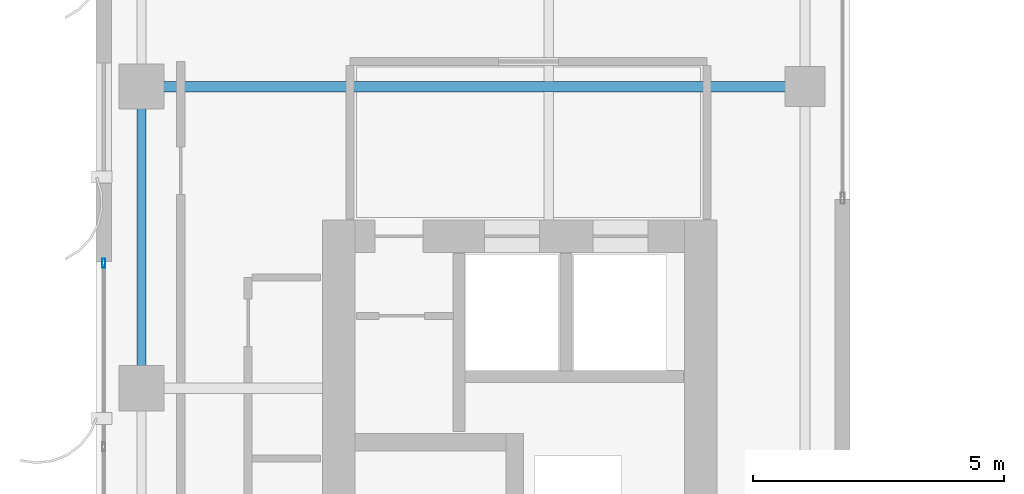
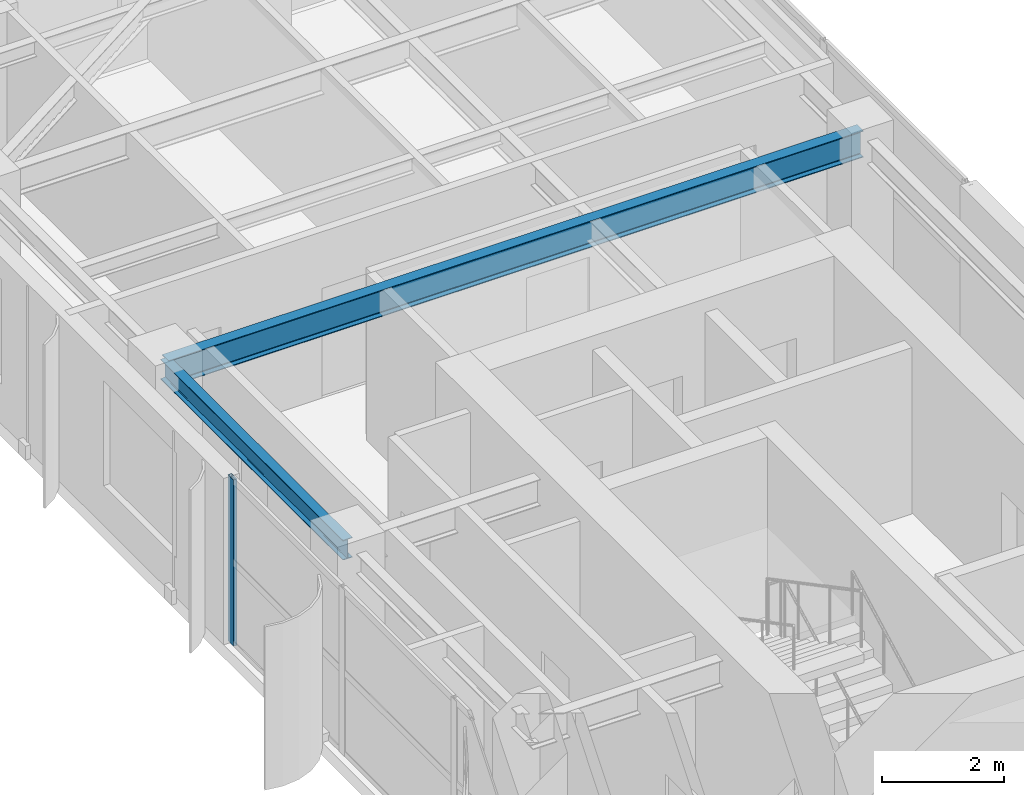
# One storey, part 8 of 22: 2 beams, 1 member, 1 element without a shape of its own.
"""IFC4 building model written with IfcOpenShell, lengths in metres."""

from ifc_helpers import new_model, si_unit, direction, frame, origin, origin_2d, place, context, subcontext, project, spatial, hollow_rectangle, i_section, extrude, source, transform, mapped, material, layer, layer_set, material_profile, profile_set, type_object, element, aggregate, save


model = new_model("IFC4")

# Units and contexts
model_context = context("Model", 3, precision=1e-05, world=origin(), true_north=direction((0.0, 1.0)))
body_context = subcontext(model_context, "Body", "Model", "MODEL_VIEW")
ifc_project = project(units=[si_unit("LENGTHUNIT", "METRE"), si_unit("AREAUNIT", "SQUARE_METRE"), si_unit("VOLUMEUNIT", "CUBIC_METRE"), si_unit("PLANEANGLEUNIT", "RADIAN"), si_unit("MASSUNIT", "GRAM", prefix="KILO")], contexts=[model_context])

# Site, building, storey
site_placement = place(None, origin())
site = spatial("IfcSite", under=ifc_project, at=site_placement, CompositionType="ELEMENT")
building_placement = place(site_placement, origin())
building = spatial("IfcBuilding", under=site, at=building_placement, Name="Khoralis Quay Care Tower", CompositionType="ELEMENT")
storey_placement = place(building_placement, frame((0.0, 0.0, 188.10009765625)))
storey = spatial("IfcBuildingStorey", under=building, at=storey_placement, Name="L49", CompositionType="ELEMENT", Elevation=188.10009765625)

# Beams
ifc_material_1 = material(Name="Steel S355", Category="steel")
ifc_material_profile_1 = material_profile(ifc_material_1, i_section(OverallWidth=0.179931640625, OverallDepth=0.39990234375, WebThickness=0.008544921875, FlangeThickness=0.013427734375, FilletRadius=0.02099609375, at=origin_2d()), Name="Steel S355")
ifc_profile_set_1 = profile_set([ifc_material_profile_1], Name="Steel S355")
beam_type_1 = type_object("IfcBeamType", Name="BM-IPE400", PredefinedType="SPANDREL", material=ifc_profile_set_1)
shared_shape_1 = source(origin(), body_context, "Body", "SweptSolid", [
    extrude(i_section(OverallWidth=0.179931640625, OverallDepth=0.39990234375, WebThickness=0.008544921875, FlangeThickness=0.013427734375, FilletRadius=0.02099609375, at=origin_2d()), origin(), (0.0, 0.0, 1.0), 6.0),
])
beam_1_placement = place(storey_placement, frame((3.89990234375, 24.0, 3.139892578125), z_axis=(0.0, 1.0, 0.0), x_axis=(-1.0, 0.0, 0.0)))
element("IfcBeam", 1, at=beam_1_placement, inside=storey, type_object=beam_type_1, Name="BM-TSP-L49-08", PredefinedType="SPANDREL", context=body_context, shape_type="MappedRepresentation", body=[
    mapped(shared_shape_1, transform((0.0, 0.0, 0.0), scale=1.0)),
])
ifc_material_profile_2 = material_profile(ifc_material_1, i_section(OverallWidth=0.208984375, OverallDepth=0.532958984375, WebThickness=0.01025390625, FlangeThickness=0.015625, FilletRadius=0.01611328125, at=origin_2d()), Name="Steel S355")
ifc_profile_set_2 = profile_set([ifc_material_profile_2], Name="Steel S355")
beam_type_2 = type_object("IfcBeamType", Name="BM-W530X92", PredefinedType="BEAM", material=ifc_profile_set_2)
shared_shape_2 = source(origin(), body_context, "Body", "SweptSolid", [
    extrude(i_section(OverallWidth=0.208984375, OverallDepth=0.532958984375, WebThickness=0.01025390625, FlangeThickness=0.015625, FilletRadius=0.01611328125, at=origin_2d()), origin(), (0.0, 0.0, 1.0), 13.2001953125),
])
beam_2_placement = place(storey_placement, frame((3.89990234375, 30.0, 3.073486328125), z_axis=(1.0, 0.0, 0.0), x_axis=(0.0, 1.0, 0.0)))
element("IfcBeam", 2, at=beam_2_placement, inside=storey, type_object=beam_type_2, Name="BM-TGXW-L49-300", PredefinedType="BEAM", context=body_context, shape_type="MappedRepresentation", body=[
    mapped(shared_shape_2, transform((0.0, 0.0, 0.0), scale=1.0)),
])

# Curtain wall, member
ifc_material_2 = material(Name="Pale anodised aluminium", Category="aluminium")
ifc_layer = layer(ifc_material_2, 0.159912109375)
ifc_layer_set = layer_set([ifc_layer], Name="Pale anodised aluminium")
curtain_wall_type = type_object("IfcCurtainWallType", Name="CW-SYS-Z3", PredefinedType="NOTDEFINED", material=ifc_layer_set)
curtain_wall_placement = place(storey_placement, origin())
curtain_wall = element("IfcCurtainWall", 3, at=curtain_wall_placement, inside=storey, type_object=curtain_wall_type, Name="L49 Unitised Curtain Wall CW-L49-P1-E7", PredefinedType="NOTDEFINED")
ifc_material_profile_3 = material_profile(ifc_material_2, hollow_rectangle(XDim=0.06494140625, YDim=0.179931640625, WallThickness=0.00390625, at=origin_2d()), Name="Pale anodised aluminium")
ifc_profile_set_3 = profile_set([ifc_material_profile_3], Name="Pale anodised aluminium")
member_type = type_object("IfcMemberType", Name="CW-MUL-180", PredefinedType="MULLION", material=ifc_profile_set_3)
shared_shape_3 = source(origin(), body_context, "Body", "SweptSolid", [
    extrude(hollow_rectangle(XDim=0.06494140625, YDim=0.179931640625, WallThickness=0.00390625, at=origin_2d()), origin(), (0.0, 0.0, 1.0), 3.33984375),
])
member_placement = place(storey_placement, frame((3.14990234375, 26.489990234375, 0.0), z_axis=(0.0, 0.0, 1.0), x_axis=(1.0, 0.0, 0.0)))
member = element("IfcMember", 4, at=member_placement, type_object=member_type, Name="CW3 mullion 1", PredefinedType="MULLION", context=body_context, shape_type="MappedRepresentation", body=[
    mapped(shared_shape_3, transform((0.0, 0.0, 0.0), scale=1.0)),
])
aggregate(curtain_wall, [member])

save(model, "model.ifc")
